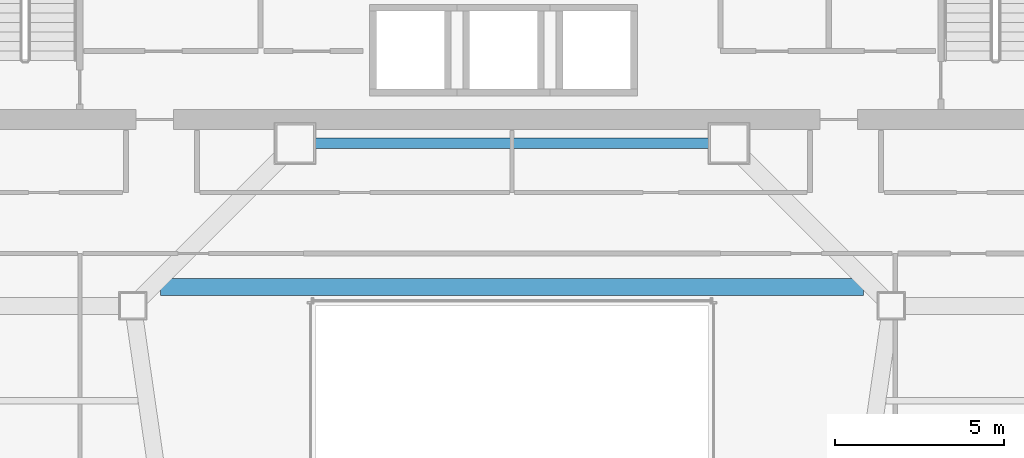
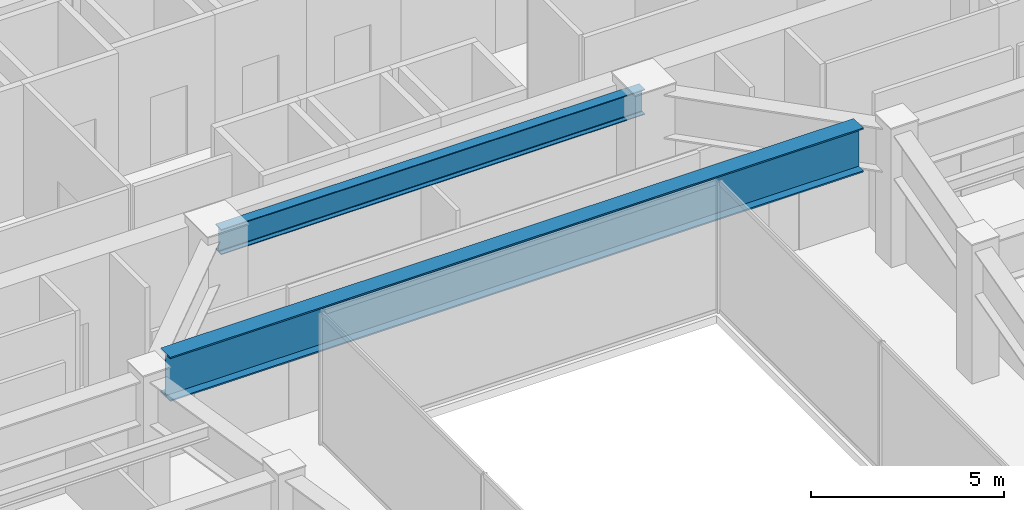
# One storey, part 25 of 40: 2 beams.
"""IFC4 building model written with IfcOpenShell, lengths in metres."""

from ifc_helpers import new_model, si_unit, direction, frame, origin, origin_2d, place, context, subcontext, project, spatial, i_section, extrude, material, material_profile, profile_set, type_object, element, save


model = new_model("IFC4")

# Units and contexts
model_context = context("Model", 3, precision=1e-05, world=origin(), true_north=direction((0.0, 1.0)))
body_context = subcontext(model_context, "Body", "Model", "MODEL_VIEW")
ifc_project = project(units=[si_unit("LENGTHUNIT", "METRE"), si_unit("AREAUNIT", "SQUARE_METRE"), si_unit("VOLUMEUNIT", "CUBIC_METRE"), si_unit("PLANEANGLEUNIT", "RADIAN"), si_unit("MASSUNIT", "GRAM", prefix="KILO")], contexts=[model_context])

# Site, building, storey
site_placement = place(None, origin())
site = spatial("IfcSite", under=ifc_project, at=site_placement, CompositionType="ELEMENT")
building_placement = place(site_placement, origin())
building = spatial("IfcBuilding", under=site, at=building_placement, Name="Saevonmaru Cultural Tower", CompositionType="ELEMENT")
storey_placement = place(building_placement, frame((0.0, 0.0, 97.199951171875)))
storey = spatial("IfcBuildingStorey", under=building, at=storey_placement, Name="L20", CompositionType="ELEMENT", Elevation=97.199951171875)

# Beams
ifc_material_1 = material(Name="Steel SM420", Category="steel")
ifc_material_profile_1 = material_profile(ifc_material_1, i_section(OverallWidth=0.300048828125, OverallDepth=0.800048828125, WebThickness=0.013916015625, FlangeThickness=0.02587890625, FilletRadius=0.028076171875, at=origin_2d()), Name="H-800x300x14x26")
ifc_profile_set_1 = profile_set([ifc_material_profile_1], Name="Steel SM420")
beam_type_1 = type_object("IfcBeamType", Name="BM-G-H800", PredefinedType="BEAM", material=ifc_profile_set_1)
beam_1_placement = place(storey_placement, frame((23.659912109375, 42.39990234375, 3.75), z_axis=(1.0, 0.0, 0.0), x_axis=(0.0, 1.0, 0.0)))
element("IfcBeam", 1, at=beam_1_placement, inside=storey, type_object=beam_type_1, Name="L20 Core South Girder 3", PredefinedType="BEAM", context=body_context, shape_type="SweptSolid", body=[
    extrude(i_section(OverallWidth=0.300048828125, OverallDepth=0.800048828125, WebThickness=0.013916015625, FlangeThickness=0.02587890625, FilletRadius=0.028076171875, at=origin_2d()), origin(), (0.0, 0.0, 1.0), 12.68017578125),
])
ifc_material_2 = material(Name="Steel HSA600 (600 MPa)", Category="steel")
ifc_material_profile_2 = material_profile(ifc_material_2, i_section(OverallWidth=0.5, OverallDepth=1.39990234375, WebThickness=0.02392578125, FlangeThickness=0.044921875, at=origin_2d()), Name="PG-1400x500x24x45")
ifc_profile_set_2 = profile_set([ifc_material_profile_2], Name="Steel HSA600 (600 MPa)")
beam_type_2 = type_object("IfcBeamType", Name="BM-TG-PG1400", PredefinedType="BEAM", material=ifc_profile_set_2)
beam_2_placement = place(storey_placement, frame((19.625, 38.159912109375, 3.449951171875), z_axis=(1.0, 0.0, 0.0), x_axis=(0.0, 1.0, 0.0)))
element("IfcBeam", 2, at=beam_2_placement, inside=storey, type_object=beam_type_2, Name="L20 Central Link Girder", PredefinedType="BEAM", context=body_context, shape_type="SweptSolid", body=[
    extrude(i_section(OverallWidth=0.5, OverallDepth=1.39990234375, WebThickness=0.02392578125, FlangeThickness=0.044921875, at=origin_2d()), origin(), (0.0, 0.0, 1.0), 20.75),
])

save(model, "model.ifc")
